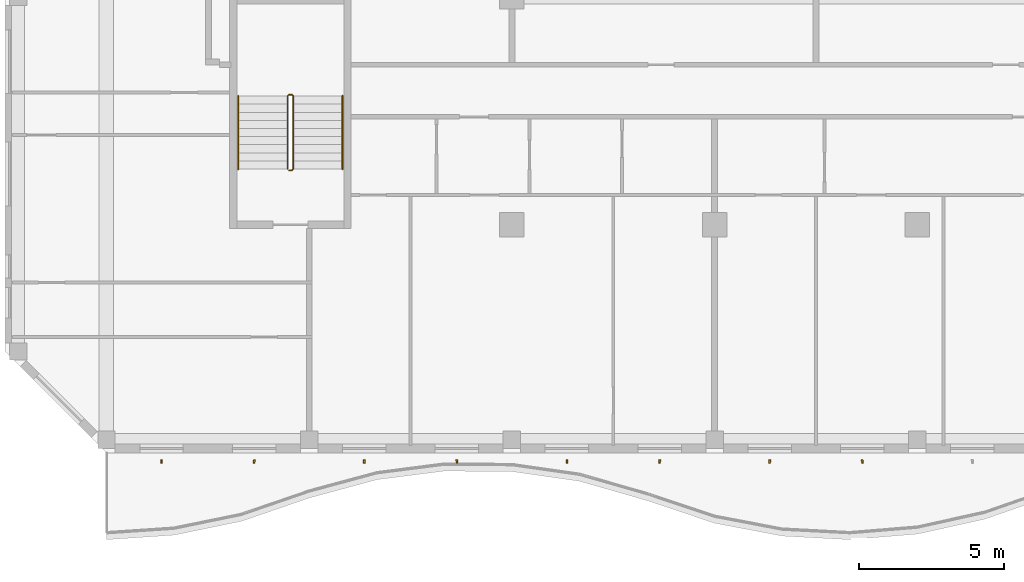
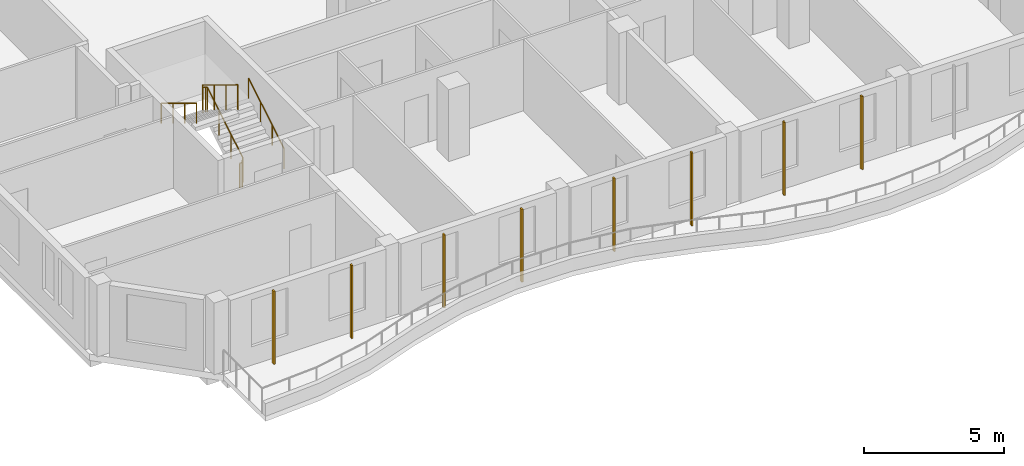
# One storey, part 11 of 17: 8 shading devices, 3 railings.
"""IFC4 building model written with IfcOpenShell, lengths in metres."""

import ifcopenshell
import ifcopenshell.guid

model = None  # the IFC model being written
_history = None  # IfcOwnerHistory: only IFC2X3 demands one
_inside = {}  # id of a spatial element -> (the spatial element, [elements in it])
_under = {}  # id of a project, library or spatial element -> (it, [spatial elements below it])
_declared = {}  # id of a project -> (the project, [libraries it declares])
_typed = {}  # id of a type object -> (the type object, [elements of that type])
_made_of = {}  # id of a material, layer set ... -> (it, [elements and type objects made of it])


def new_model(schema):
    """Start an empty IFC model of exactly this schema.

    Asked for "IFC4X3", IfcOpenShell would pick the latest addendum, in which some entities
    have other attributes; the version numbers below select the first issue.
    IFC2X3 requires an IfcOwnerHistory on every rooted entity: one is made here for all.
    """
    global model, _history
    if schema == "IFC4X3":
        model = ifcopenshell.file(schema_version=(4, 3, 0, 0))
    else:
        model = ifcopenshell.file(schema=schema)
    _inside.clear()
    _under.clear()
    _declared.clear()
    _typed.clear()
    _made_of.clear()
    _history = None
    if model.schema == "IFC2X3":
        org = make("IfcOrganization", Name="unknown")
        user = make(
            "IfcPersonAndOrganization",
            ThePerson=make("IfcPerson", FamilyName="unknown"),
            TheOrganization=org,
        )
        app = make(
            "IfcApplication",
            ApplicationDeveloper=org,
            Version="unknown",
            ApplicationFullName="unknown",
            ApplicationIdentifier="unknown",
        )
        _history = make(
            "IfcOwnerHistory",
            OwningUser=user,
            OwningApplication=app,
            ChangeAction="ADDED",
            CreationDate=0,
        )
    return model


def make(cls, **values):
    """One entity of the class cls with the attributes given. An attribute that is None is left unset."""
    return model.create_entity(
        cls, **{name: value for name, value in values.items() if value is not None}
    )


def rooted(cls, **values):
    """An entity with a GlobalId (a new one), such as an element, a storey or a relation."""
    return make(cls, GlobalId=ifcopenshell.guid.new(), OwnerHistory=_history, **values)


def si_unit(unit_type, name, prefix=None):
    """IfcSIUnit, for example si_unit("LENGTHUNIT", "METRE", prefix="MILLI")."""
    return make("IfcSIUnit", UnitType=unit_type, Prefix=prefix, Name=name)


def assignment(units):
    """IfcUnitAssignment: the units of a project."""
    return None if units is None else make("IfcUnitAssignment", Units=units)


def point(xyz):
    """IfcCartesianPoint."""
    return None if xyz is None else make("IfcCartesianPoint", Coordinates=xyz)


def direction(xyz):
    """IfcDirection."""
    return None if xyz is None else make("IfcDirection", DirectionRatios=xyz)


def frame(location, z_axis=None, x_axis=None):
    """IfcAxis2Placement3D, a coordinate frame: its origin and axes. An axis left out is left unset."""
    return make(
        "IfcAxis2Placement3D",
        Location=point(location),
        Axis=direction(z_axis),
        RefDirection=direction(x_axis),
    )


def frame_2d(location, x_axis=None):
    """IfcAxis2Placement2D, a coordinate frame in the plane: its origin and x axis."""
    return make(
        "IfcAxis2Placement2D", Location=point(location), RefDirection=direction(x_axis)
    )


def origin():
    """The frame at (0, 0, 0) with its axes left unset."""
    return frame((0.0, 0.0, 0.0))


def origin_2d():
    """The frame at (0, 0) in the plane with its x axis left unset."""
    return frame_2d((0.0, 0.0))


def place(relative_to, where):
    """IfcLocalPlacement: puts the frame where relative to a parent placement (None: the world)."""
    return make(
        "IfcLocalPlacement", PlacementRelTo=relative_to, RelativePlacement=where
    )


def context(
    kind, dimensions, precision=None, world=None, true_north=None, identifier=None
):
    """IfcGeometricRepresentationContext, for example the 3D "Model" context."""
    return make(
        "IfcGeometricRepresentationContext",
        ContextIdentifier=identifier,
        ContextType=kind,
        CoordinateSpaceDimension=dimensions,
        Precision=precision,
        WorldCoordinateSystem=world,
        TrueNorth=true_north,
    )


def subcontext(parent, identifier, kind, view, scale=None):
    """IfcGeometricRepresentationSubContext, for example "Body" below "Model"."""
    return make(
        "IfcGeometricRepresentationSubContext",
        ContextIdentifier=identifier,
        ContextType=kind,
        ParentContext=parent,
        TargetScale=scale,
        TargetView=view,
    )


def project(units=None, contexts=None):
    """IfcProject with its units and contexts."""
    return rooted(
        "IfcProject",
        Name="project",
        RepresentationContexts=contexts,
        UnitsInContext=assignment(units),
    )


def spatial(cls, under=None, at=None, **own):
    """A site, building, storey or space (cls), placed at a placement, below another one or the project."""
    s = rooted(cls, ObjectPlacement=at, **own)
    if under is not None:
        _under.setdefault(under.id(), (under, []))[1].append(s)
    return s


def profile(cls, at=None, kind="AREA", **sizes):
    """A parametric profile (cls). Its sizes go by their IFC names, for example OverallWidth=200.0."""
    return make(cls, ProfileType=kind, Position=at, **sizes)


def rectangle(**sizes):
    """IfcRectangleProfileDef."""
    return profile("IfcRectangleProfileDef", **sizes)


def circle(**sizes):
    """IfcCircleProfileDef."""
    return profile("IfcCircleProfileDef", **sizes)


def extrude(swept, where, along, depth):
    """IfcExtrudedAreaSolid: the profile swept, set in the frame where, extruded along a direction by depth."""
    return make(
        "IfcExtrudedAreaSolid",
        SweptArea=swept,
        Position=where,
        ExtrudedDirection=direction(along),
        Depth=depth,
    )


def shape(context_of_items, identifier, shape_type, items):
    """IfcShapeRepresentation: the items that make up one representation, for example the "Body"."""
    return make(
        "IfcShapeRepresentation",
        ContextOfItems=context_of_items,
        RepresentationIdentifier=identifier,
        RepresentationType=shape_type,
        Items=items,
    )


def source(mapping_origin, context_of_items, identifier, shape_type, items):
    """IfcRepresentationMap: a shape defined once, which mapped items show again and again."""
    return make(
        "IfcRepresentationMap",
        MappingOrigin=mapping_origin,
        MappedRepresentation=shape(context_of_items, identifier, shape_type, items),
    )


def transform(
    local_origin,
    x_axis=None,
    y_axis=None,
    z_axis=None,
    scale=None,
    scale2=None,
    scale3=None,
    uniform=True,
):
    """IfcCartesianTransformationOperator3D, or its non-uniform kind. x_axis, y_axis, z_axis: its Axis1, 2, 3."""
    if uniform:
        return make(
            "IfcCartesianTransformationOperator3D",
            Axis1=direction(x_axis),
            Axis2=direction(y_axis),
            LocalOrigin=point(local_origin),
            Scale=scale,
            Axis3=direction(z_axis),
        )
    return make(
        "IfcCartesianTransformationOperator3DnonUniform",
        Axis1=direction(x_axis),
        Axis2=direction(y_axis),
        LocalOrigin=point(local_origin),
        Scale=scale,
        Axis3=direction(z_axis),
        Scale2=scale2,
        Scale3=scale3,
    )


def mapped(mapping_source, mapping_target):
    """IfcMappedItem: shows the shape of a source again, moved by a transform."""
    return make(
        "IfcMappedItem", MappingSource=mapping_source, MappingTarget=mapping_target
    )


def material(Name=None, Category=None):
    """IfcMaterial."""
    return make("IfcMaterial", Name=Name, Category=Category)


def material_profile(
    of_material, cross_section, Name=None, Category=None, Priority=None
):
    """IfcMaterialProfile: a cross section and its material."""
    return make(
        "IfcMaterialProfile",
        Name=Name,
        Material=of_material,
        Profile=cross_section,
        Priority=Priority,
        Category=Category,
    )


def profile_set(profiles, Name=None, composite=None):
    """IfcMaterialProfileSet."""
    return make(
        "IfcMaterialProfileSet",
        Name=Name,
        MaterialProfiles=profiles,
        CompositeProfile=composite,
    )


def made_of(thing, what):
    """Note that an element or type object is made of a material, layer set ...; save() writes the relation."""
    if what is not None:
        _made_of.setdefault(what.id(), (what, []))[1].append(thing)
    return thing


def type_object(cls, material=None, **own):
    """A type object (cls), such as IfcWallType, which elements share."""
    return made_of(rooted(cls, **own), material)


def element(
    cls,
    number,
    at=None,
    inside=None,
    cuts=None,
    type_object=None,
    material=None,
    context=None,
    identifier="Body",
    shape_type=None,
    held_by="IfcProductDefinitionShape",
    body=None,
    shapes=None,
    **own,
):
    """One element of the class cls, such as IfcWall. Its Tag is "e" and its number.

    at: its placement. inside: the storey or other place that contains it. cuts: it is an
    opening in that element (IfcRelVoidsElement). A single representation is given by context,
    identifier, shape_type and body (its items); several are given by shapes. held_by: the class
    of the entity that holds the representations. save() writes the other relations.
    """
    e = rooted(cls, Tag="e%d" % number, ObjectPlacement=at, **own)
    if body is not None:
        shapes = [shape(context, identifier, shape_type, body)]
    if shapes is not None:
        e.Representation = make(held_by, Representations=shapes)
    if inside is not None:
        _inside.setdefault(inside.id(), (inside, []))[1].append(e)
    if cuts is not None:
        rooted(
            "IfcRelVoidsElement", RelatingBuildingElement=cuts, RelatedOpeningElement=e
        )
    if type_object is not None:
        _typed.setdefault(type_object.id(), (type_object, []))[1].append(e)
    return made_of(e, material)


def aggregate(whole, parts):
    """IfcRelAggregates: a whole, such as a stair, and the parts it consists of."""
    return rooted("IfcRelAggregates", RelatingObject=whole, RelatedObjects=parts)


def save(model, path):
    """Write the relations noted so far, then the file.

    IfcRelAggregates (storeys below a building ...), IfcRelContainedInSpatialStructure (elements
    in a storey), IfcRelDefinesByType, IfcRelAssociatesMaterial and IfcRelDeclares: one each for
    every whole, place, type object, material and project.
    """
    for whole, parts in _under.values():
        aggregate(whole, parts)
    for where, things in _inside.values():
        rooted(
            "IfcRelContainedInSpatialStructure",
            RelatedElements=things,
            RelatingStructure=where,
        )
    for kind, things in _typed.values():
        rooted("IfcRelDefinesByType", RelatedObjects=things, RelatingType=kind)
    for what, things in _made_of.values():
        rooted("IfcRelAssociatesMaterial", RelatedObjects=things, RelatingMaterial=what)
    for by, libraries in _declared.values():
        rooted("IfcRelDeclares", RelatingContext=by, RelatedDefinitions=libraries)
    model.write(path)


model = new_model("IFC4")

# Units and contexts
model_context = context("Model", 3, precision=1e-05, world=origin(), true_north=direction((0.0, 1.0)))
body_context = subcontext(model_context, "Body", "Model", "MODEL_VIEW")
ifc_project = project(units=[si_unit("LENGTHUNIT", "METRE"), si_unit("AREAUNIT", "SQUARE_METRE"), si_unit("VOLUMEUNIT", "CUBIC_METRE"), si_unit("PLANEANGLEUNIT", "RADIAN"), si_unit("MASSUNIT", "GRAM", prefix="KILO")], contexts=[model_context])

# Site, building, storey
site_placement = place(None, origin())
site = spatial("IfcSite", under=ifc_project, at=site_placement, CompositionType="ELEMENT")
building_placement = place(site_placement, origin())
building = spatial("IfcBuilding", under=site, at=building_placement, Name="Kilnfold Tower and Market Hall", CompositionType="ELEMENT")
storey_placement = place(building_placement, frame((0.0, 0.0, 301.800048828125)))
storey = spatial("IfcBuildingStorey", under=building, at=storey_placement, Name="L75", CompositionType="ELEMENT", Elevation=301.800048828125)

# Railings
ifc_material_1 = material(Name="Stainless steel 316", Category="steel")
railing_type_1 = type_object("IfcRailingType", Name="CORE STAIR GUARD 1100", PredefinedType="GUARDRAIL", material=ifc_material_1)
railing_1_placement = place(storey_placement, frame((-15.699951171875, -13.75, 0.0)))
element("IfcRailing", 1, at=railing_1_placement, inside=storey, type_object=railing_type_1, Name="L75 ST3 stair guard 1", PredefinedType="GUARDRAIL", context=body_context, shape_type="SweptSolid", body=[
    extrude(circle(Radius=0.02392578125, at=origin_2d()), frame((0.0, 0.0, 1.076171875), z_axis=(1.0, 0.0, 0.0), x_axis=(0.0, 1.0, 0.0)), (0.0, 0.0, 1.0), 0.099853515625),
    extrude(circle(Radius=0.02392578125, at=origin_2d()), frame((0.099853515625, 0.0, 1.076171875), z_axis=(0.271895245746, 0.271895245746, 0.923117517265), x_axis=(-0.707106781187, 0.707106781187, 0.0)), (0.0, 0.0, 1.0), 0.18408203125),
    extrude(circle(Radius=0.02392578125, at=origin_2d()), frame((0.14990234375, 0.050048828125, 1.24609375), z_axis=(0.0, 0.85478489116, 0.518982456201), x_axis=(-1.0, 0.0, 0.0)), (0.0, 0.0, 1.0), 2.9482421875),
    extrude(circle(Radius=0.02392578125, at=origin_2d()), frame((0.14990234375, 2.570068359375, 2.77587890625), z_axis=(-0.707106781187, 0.707106781187, 0.0), x_axis=(-0.707106781187, -0.707106781187, 0.0)), (0.0, 0.0, 1.0), 0.07080078125),
    extrude(circle(Radius=0.02392578125, at=origin_2d()), frame((0.099853515625, 2.6201171875, 2.77587890625), z_axis=(-1.0, 0.0, 0.0), x_axis=(0.0, -1.0, 0.0)), (0.0, 0.0, 1.0), 0.099853515625),
    extrude(circle(Radius=0.02392578125, at=origin_2d()), frame((0.0, 2.6201171875, 2.77587890625), z_axis=(-0.271895245746, -0.271895245746, 0.923117517265), x_axis=(0.707106781187, -0.707106781187, 0.0)), (0.0, 0.0, 1.0), 0.18408203125),
    extrude(circle(Radius=0.02392578125, at=origin_2d()), frame((-0.050048828125, 2.570068359375, 2.94580078125), z_axis=(0.0, -0.85478489116, 0.518982456201), x_axis=(1.0, 0.0, 0.0)), (0.0, 0.0, 1.0), 2.9482421875),
    extrude(circle(Radius=0.02099609375, at=origin_2d()), origin(), (0.0, 0.0, 1.0), 1.052001953125),
    extrude(circle(Radius=0.02099609375, at=origin_2d()), frame((0.099853515625, 0.0, 0.0)), (0.0, 0.0, 1.0), 1.052001953125),
    extrude(circle(Radius=0.02099609375, at=origin_2d()), frame((0.14990234375, 0.050048828125, 0.169921875)), (0.0, 0.0, 1.0), 1.052001953125),
    extrude(circle(Radius=0.02099609375, at=origin_2d()), frame((0.14990234375, 0.89013671875, 0.679931640625)), (0.0, 0.0, 1.0), 1.052001953125),
    extrude(circle(Radius=0.02099609375, at=origin_2d()), frame((0.14990234375, 1.72998046875, 1.18994140625)), (0.0, 0.0, 1.0), 1.052001953125),
    extrude(circle(Radius=0.02099609375, at=origin_2d()), frame((0.14990234375, 2.570068359375, 1.699951171875)), (0.0, 0.0, 1.0), 1.052001953125),
    extrude(circle(Radius=0.02099609375, at=origin_2d()), frame((0.099853515625, 2.6201171875, 1.699951171875)), (0.0, 0.0, 1.0), 1.052001953125),
    extrude(circle(Radius=0.02099609375, at=origin_2d()), frame((0.0, 2.6201171875, 1.699951171875)), (0.0, 0.0, 1.0), 1.052001953125),
    extrude(circle(Radius=0.02099609375, at=origin_2d()), frame((-0.050048828125, 2.570068359375, 1.869873046875)), (0.0, 0.0, 1.0), 1.052001953125),
    extrude(circle(Radius=0.02099609375, at=origin_2d()), frame((-0.050048828125, 1.72998046875, 2.3798828125)), (0.0, 0.0, 1.0), 1.052001953125),
    extrude(circle(Radius=0.02099609375, at=origin_2d()), frame((-0.050048828125, 0.89013671875, 2.889892578125)), (0.0, 0.0, 1.0), 1.052001953125),
    extrude(circle(Radius=0.02099609375, at=origin_2d()), frame((-0.050048828125, 0.050048828125, 3.39990234375)), (0.0, 0.0, 1.0), 1.052001953125),
])
ifc_material_2 = material(Name="Stainless steel 316", Category="steel")
railing_type_2 = type_object("IfcRailingType", Name="CORE STAIR HANDRAIL 900", PredefinedType="HANDRAIL", material=ifc_material_2)
railing_2_placement = place(storey_placement, frame((-13.85009765625, -13.699951171875, 0.169921875)))
element("IfcRailing", 2, at=railing_2_placement, inside=storey, type_object=railing_type_2, Name="L75 ST3 stair handrail 1", PredefinedType="HANDRAIL", context=body_context, shape_type="SweptSolid", body=[
    extrude(circle(Radius=0.02392578125, at=origin_2d()), frame((0.0, 0.0, 0.8759765625), z_axis=(0.0, 0.85478489116, 0.518982456201), x_axis=(-1.0, 0.0, 0.0)), (0.0, 0.0, 1.0), 2.9482421875),
    extrude(circle(Radius=0.02099609375, at=origin_2d()), origin(), (0.0, 0.0, 1.0), 0.851806640625),
    extrude(circle(Radius=0.02099609375, at=origin_2d()), frame((0.0, 0.840087890625, 0.510009765625)), (0.0, 0.0, 1.0), 0.851806640625),
    extrude(circle(Radius=0.02099609375, at=origin_2d()), frame((0.0, 1.679931640625, 1.02001953125)), (0.0, 0.0, 1.0), 0.851806640625),
    extrude(circle(Radius=0.02099609375, at=origin_2d()), frame((0.0, 2.52001953125, 1.530029296875)), (0.0, 0.0, 1.0), 0.851806640625),
])
railing_3_placement = place(storey_placement, frame((-17.449951171875, -11.179931640625, 1.869873046875)))
element("IfcRailing", 3, at=railing_3_placement, inside=storey, type_object=railing_type_2, Name="L75 ST3 stair handrail 2", PredefinedType="HANDRAIL", context=body_context, shape_type="SweptSolid", body=[
    extrude(circle(Radius=0.02392578125, at=origin_2d()), frame((0.0, 0.0, 0.8759765625), z_axis=(0.0, -0.85478489116, 0.518982456201), x_axis=(1.0, 0.0, 0.0)), (0.0, 0.0, 1.0), 2.9482421875),
    extrude(circle(Radius=0.02099609375, at=origin_2d()), origin(), (0.0, 0.0, 1.0), 0.851806640625),
    extrude(circle(Radius=0.02099609375, at=origin_2d()), frame((0.0, -0.840087890625, 0.510009765625)), (0.0, 0.0, 1.0), 0.851806640625),
    extrude(circle(Radius=0.02099609375, at=origin_2d()), frame((0.0, -1.679931640625, 1.02001953125)), (0.0, 0.0, 1.0), 0.851806640625),
    extrude(circle(Radius=0.02099609375, at=origin_2d()), frame((0.0, -2.52001953125, 1.530029296875)), (0.0, 0.0, 1.0), 0.851806640625),
])

# Shading devices
ifc_material_3 = material(Name="Terracotta", Category="masonry")
ifc_material_profile = material_profile(ifc_material_3, rectangle(XDim=0.06005859375, YDim=0.1201171875, at=origin_2d()), Name="BAG 60x120")
ifc_profile_set = profile_set([ifc_material_profile], Name="Terracotta")
shading_device_type = type_object("IfcShadingDeviceType", Name="BAGUETTE", PredefinedType="USERDEFINED", material=ifc_profile_set)
shared_shape = source(origin(), body_context, "Body", "SweptSolid", [
    extrude(rectangle(XDim=0.06005859375, YDim=0.1201171875, at=origin_2d()), origin(), (0.0, 0.0, 1.0), 3.179931640625),
])
for number, where, z_axis, x_axis, name in (
    (4, (-20.10009765625, -23.800048828125, 0.0), (0.0, 0.0, 1.0), (0.999296624771, 0.037500076272, 0.0), "Terracotta baguette L75 S"),
    (5, (-16.89990234375, -23.800048828125, 0.0), (0.0, 0.0, 1.0), (0.991788314776, -0.12789033847, 0.0), "Terracotta baguette L75 S"),
    (6, (-13.10009765625, -23.800048828125, 0.0), (0.0, 0.0, 1.0), (0.999296624771, -0.037500076272, 0.0), "Terracotta baguette L75 S"),
    (7, (-9.89990234375, -23.800048828125, 0.0), (0.0, 0.0, 1.0), (0.991788314776, 0.12789033847, 0.0), "Terracotta baguette L75 S"),
    (8, (-6.10009765625, -23.800048828125, 0.0), (0.0, 0.0, 1.0), (0.999296624771, 0.037500076272, 0.0), "Terracotta baguette L75 S"),
    (9, (-2.89990234375, -23.800048828125, 0.0), (0.0, 0.0, 1.0), (0.991788314776, -0.12789033847, 0.0), "Terracotta baguette L75 S"),
    (10, (0.89990234375, -23.800048828125, 0.0), (0.0, 0.0, 1.0), (0.999296624771, -0.037500076272, 0.0), "Terracotta baguette L75 S"),
    (11, (4.10009765625, -23.800048828125, 0.0), (0.0, 0.0, 1.0), (0.991788314776, 0.12789033847, 0.0), "Terracotta baguette L75 S"),
):
    element("IfcShadingDevice", number, at=place(storey_placement, frame(where, z_axis=z_axis, x_axis=x_axis)), inside=storey, type_object=shading_device_type, Name=name, ObjectType="BAGUETTE", PredefinedType="USERDEFINED", context=body_context, shape_type="MappedRepresentation", body=[
        mapped(shared_shape, transform((0.0, 0.0, 0.0))),
    ])

save(model, "model.ifc")
